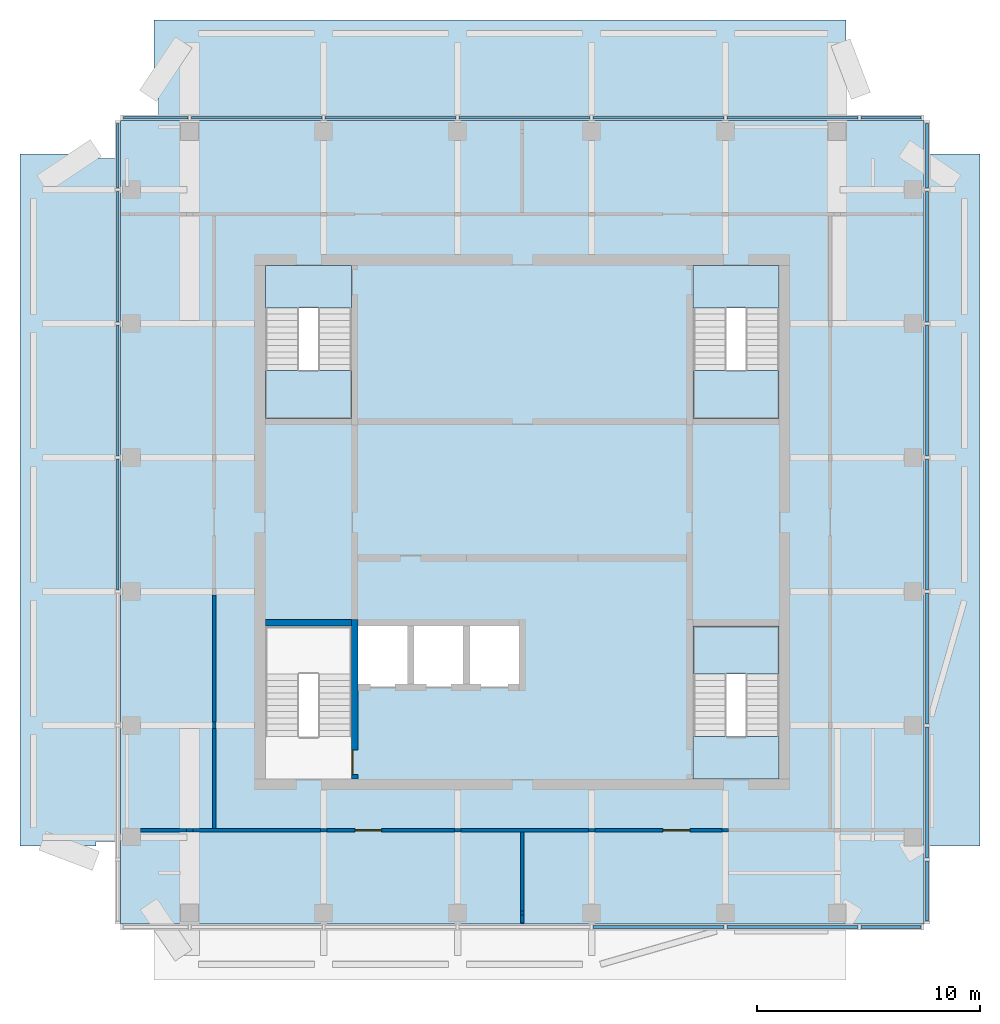
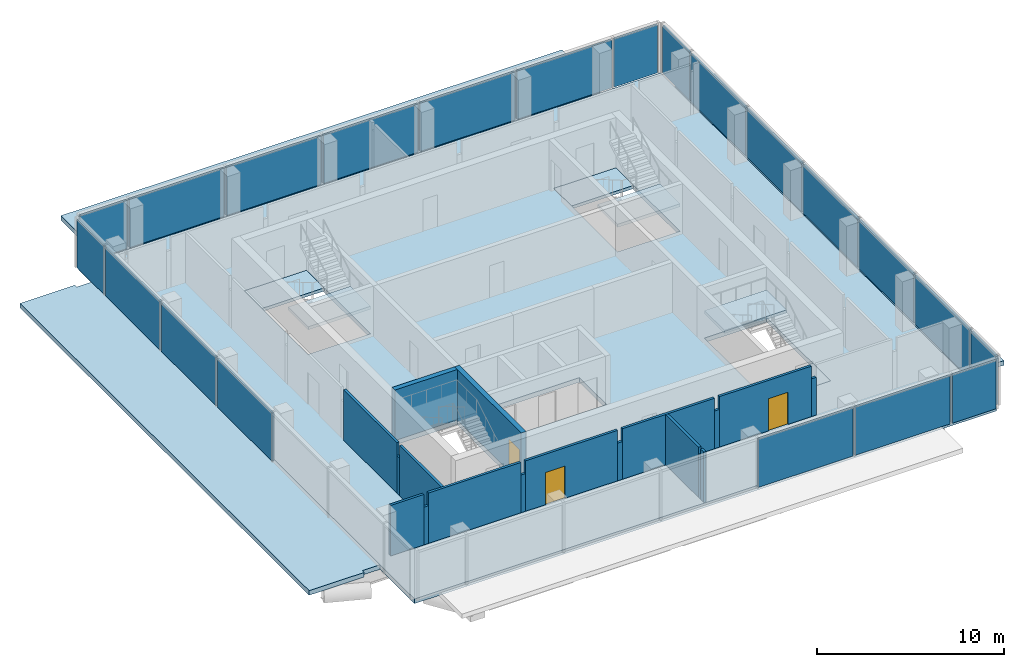
# One storey, part 3 of 6: 21 plates, 18 walls, 10 slabs, 3 doors, 3 openings, 7 elements without a shape of their own.
"""IFC4 building model written with IfcOpenShell, lengths in metres."""

from ifc_helpers import new_model, si_unit, direction, frame, frame_2d, origin, origin_2d, place, context, subcontext, project, spatial, polyline, rectangle, outline, extrude, material, layer, layer_set, type_object, element, fill, aggregate, save


model = new_model("IFC4")

# Units and contexts
model_context = context("Model", 3, precision=1e-05, world=origin(), true_north=direction((0.0, 1.0)))
body_context = subcontext(model_context, "Body", "Model", "MODEL_VIEW")
ifc_project = project(units=[si_unit("LENGTHUNIT", "METRE"), si_unit("AREAUNIT", "SQUARE_METRE"), si_unit("VOLUMEUNIT", "CUBIC_METRE"), si_unit("PLANEANGLEUNIT", "RADIAN"), si_unit("MASSUNIT", "GRAM", prefix="KILO")], contexts=[model_context])

# Site, building, storey
site_placement = place(None, origin())
site = spatial("IfcSite", under=ifc_project, at=site_placement, CompositionType="ELEMENT")
building_placement = place(site_placement, origin())
building = spatial("IfcBuilding", under=site, at=building_placement, Name="Amberfall Residences", CompositionType="ELEMENT")
storey_placement = place(building_placement, frame((0.0, 0.0, 290.800048828125)))
storey = spatial("IfcBuildingStorey", under=building, at=storey_placement, Name="L78 Crown", CompositionType="ELEMENT", Elevation=290.800048828125)

# Curtain wall, plates
ifc_material_1 = material(Name="Bronze anodised aluminium and glass", Category="aluminium")
curtain_wall_type = type_object("IfcCurtainWallType", Name="Curtain wall CW6 crown louvre", PredefinedType="USERDEFINED", material=ifc_material_1)
curtain_wall_1_placement = place(storey_placement, origin())
curtain_wall_1 = element("IfcCurtainWall", 1, at=curtain_wall_1_placement, inside=storey, type_object=curtain_wall_type, Name="Curtain wall L78 Crown S S1", ObjectType="UNITISED CURTAIN WALL", PredefinedType="USERDEFINED")
ifc_material_2 = material(Name="Bronze aluminium louvre", Category="aluminium")
ifc_layer_1 = layer(ifc_material_2, 0.1201171875)
ifc_layer_set_1 = layer_set([ifc_layer_1], Name="CW6 panel 120 louvre")
plate_type = type_object("IfcPlateType", Name="CW6 panel 120 louvre", PredefinedType="CURTAIN_PANEL", material=ifc_layer_set_1)
plate_1_placement = place(storey_placement, frame((80.60009765625, 27.375, 0.0), z_axis=(0.0, 0.0, 1.0), x_axis=(1.0, 0.0, 0.0)))
plate_1 = element("IfcPlate", 2, at=plate_1_placement, type_object=plate_type, Name="CW6 panel 5.1", PredefinedType="CURTAIN_PANEL", context=body_context, shape_type="SweptSolid", body=[
    extrude(rectangle(XDim=5.85595703125, YDim=0.1201171875, at=origin_2d()), origin(), (0.0, 0.0, 1.0), 3.14990234375),
])
plate_2_placement = place(storey_placement, frame((86.60009765625, 27.375, 0.0), z_axis=(0.0, 0.0, 1.0), x_axis=(1.0, 0.0, 0.0)))
plate_2 = element("IfcPlate", 3, at=plate_2_placement, type_object=plate_type, Name="CW6 panel 6.1", PredefinedType="CURTAIN_PANEL", context=body_context, shape_type="SweptSolid", body=[
    extrude(rectangle(XDim=5.85595703125, YDim=0.1201171875, at=origin_2d()), origin(), (0.0, 0.0, 1.0), 3.14990234375),
])
plate_3_placement = place(storey_placement, frame((91.02001953125, 27.375, 0.0), z_axis=(0.0, 0.0, 1.0), x_axis=(1.0, 0.0, 0.0)))
plate_3 = element("IfcPlate", 4, at=plate_3_placement, type_object=plate_type, Name="CW6 panel 7.1", PredefinedType="CURTAIN_PANEL", context=body_context, shape_type="SweptSolid", body=[
    extrude(rectangle(XDim=2.696044921875, YDim=0.1201171875, at=origin_2d()), origin(), (0.0, 0.0, 1.0), 3.14990234375),
])
aggregate(curtain_wall_1, [plate_1, plate_2, plate_3])

curtain_wall_2_placement = place(storey_placement, origin())
curtain_wall_2 = element("IfcCurtainWall", 5, at=curtain_wall_2_placement, inside=storey, type_object=curtain_wall_type, Name="Curtain wall L78 Crown E E1", ObjectType="UNITISED CURTAIN WALL", PredefinedType="USERDEFINED")
plate_4_placement = place(storey_placement, frame((92.625, 28.97998046875, 0.0), z_axis=(0.0, 0.0, 1.0), x_axis=(0.0, 1.0, 0.0)))
plate_4 = element("IfcPlate", 6, at=plate_4_placement, type_object=plate_type, Name="CW6 panel 1.1", PredefinedType="CURTAIN_PANEL", context=body_context, shape_type="SweptSolid", body=[
    extrude(rectangle(XDim=2.696044921875, YDim=0.1201171875, at=origin_2d()), origin(), (0.0, 0.0, 1.0), 3.14990234375),
])
plate_5_placement = place(storey_placement, frame((92.625, 33.39990234375, 0.0), z_axis=(0.0, 0.0, 1.0), x_axis=(0.0, 1.0, 0.0)))
plate_5 = element("IfcPlate", 7, at=plate_5_placement, type_object=plate_type, Name="CW6 panel 2.1", PredefinedType="CURTAIN_PANEL", context=body_context, shape_type="SweptSolid", body=[
    extrude(rectangle(XDim=5.85595703125, YDim=0.1201171875, at=origin_2d()), origin(), (0.0, 0.0, 1.0), 3.14990234375),
])
plate_6_placement = place(storey_placement, frame((92.625, 39.39990234375, 0.0), z_axis=(0.0, 0.0, 1.0), x_axis=(0.0, 1.0, 0.0)))
plate_6 = element("IfcPlate", 8, at=plate_6_placement, type_object=plate_type, Name="CW6 panel 3.1", PredefinedType="CURTAIN_PANEL", context=body_context, shape_type="SweptSolid", body=[
    extrude(rectangle(XDim=5.85595703125, YDim=0.1201171875, at=origin_2d()), origin(), (0.0, 0.0, 1.0), 3.14990234375),
])
plate_7_placement = place(storey_placement, frame((92.625, 45.39990234375, 0.0), z_axis=(0.0, 0.0, 1.0), x_axis=(0.0, 1.0, 0.0)))
plate_7 = element("IfcPlate", 9, at=plate_7_placement, type_object=plate_type, Name="CW6 panel 4.1", PredefinedType="CURTAIN_PANEL", context=body_context, shape_type="SweptSolid", body=[
    extrude(rectangle(XDim=5.85595703125, YDim=0.1201171875, at=origin_2d()), origin(), (0.0, 0.0, 1.0), 3.14990234375),
])
plate_8_placement = place(storey_placement, frame((92.625, 51.39990234375, 0.0), z_axis=(0.0, 0.0, 1.0), x_axis=(0.0, 1.0, 0.0)))
plate_8 = element("IfcPlate", 10, at=plate_8_placement, type_object=plate_type, Name="CW6 panel 5.1", PredefinedType="CURTAIN_PANEL", context=body_context, shape_type="SweptSolid", body=[
    extrude(rectangle(XDim=5.85595703125, YDim=0.1201171875, at=origin_2d()), origin(), (0.0, 0.0, 1.0), 3.14990234375),
])
plate_9_placement = place(storey_placement, frame((92.625, 57.39990234375, 0.0), z_axis=(0.0, 0.0, 1.0), x_axis=(0.0, 1.0, 0.0)))
plate_9 = element("IfcPlate", 11, at=plate_9_placement, type_object=plate_type, Name="CW6 panel 6.1", PredefinedType="CURTAIN_PANEL", context=body_context, shape_type="SweptSolid", body=[
    extrude(rectangle(XDim=5.85595703125, YDim=0.1201171875, at=origin_2d()), origin(), (0.0, 0.0, 1.0), 3.14990234375),
])
plate_10_placement = place(storey_placement, frame((92.625, 61.919921875, 0.0), z_axis=(0.0, 0.0, 1.0), x_axis=(0.0, 1.0, 0.0)))
plate_10 = element("IfcPlate", 12, at=plate_10_placement, type_object=plate_type, Name="CW6 panel 7.1", PredefinedType="CURTAIN_PANEL", context=body_context, shape_type="SweptSolid", body=[
    extrude(rectangle(XDim=2.89599609375, YDim=0.1201171875, at=origin_2d()), origin(), (0.0, 0.0, 1.0), 3.14990234375),
])
aggregate(curtain_wall_2, [plate_4, plate_5, plate_6, plate_7, plate_8, plate_9, plate_10])

curtain_wall_3_placement = place(storey_placement, origin())
curtain_wall_3 = element("IfcCurtainWall", 13, at=curtain_wall_3_placement, inside=storey, type_object=curtain_wall_type, Name="Curtain wall L78 Crown N N1", ObjectType="UNITISED CURTAIN WALL", PredefinedType="USERDEFINED")
plate_11_placement = place(storey_placement, frame((91.02001953125, 63.625, 0.0), z_axis=(0.0, 0.0, 1.0), x_axis=(-1.0, 0.0, 0.0)))
plate_11 = element("IfcPlate", 14, at=plate_11_placement, type_object=plate_type, Name="CW6 panel 1.1", PredefinedType="CURTAIN_PANEL", context=body_context, shape_type="SweptSolid", body=[
    extrude(rectangle(XDim=2.696044921875, YDim=0.1201171875, at=origin_2d()), origin(), (0.0, 0.0, 1.0), 3.14990234375),
])
plate_12_placement = place(storey_placement, frame((86.60009765625, 63.625, 0.0), z_axis=(0.0, 0.0, 1.0), x_axis=(-1.0, 0.0, 0.0)))
plate_12 = element("IfcPlate", 15, at=plate_12_placement, type_object=plate_type, Name="CW6 panel 2.1", PredefinedType="CURTAIN_PANEL", context=body_context, shape_type="SweptSolid", body=[
    extrude(rectangle(XDim=5.85595703125, YDim=0.1201171875, at=origin_2d()), origin(), (0.0, 0.0, 1.0), 3.14990234375),
])
plate_13_placement = place(storey_placement, frame((80.60009765625, 63.625, 0.0), z_axis=(0.0, 0.0, 1.0), x_axis=(-1.0, 0.0, 0.0)))
plate_13 = element("IfcPlate", 16, at=plate_13_placement, type_object=plate_type, Name="CW6 panel 3.1", PredefinedType="CURTAIN_PANEL", context=body_context, shape_type="SweptSolid", body=[
    extrude(rectangle(XDim=5.85595703125, YDim=0.1201171875, at=origin_2d()), origin(), (0.0, 0.0, 1.0), 3.14990234375),
])
plate_14_placement = place(storey_placement, frame((74.60009765625, 63.625, 0.0), z_axis=(0.0, 0.0, 1.0), x_axis=(-1.0, 0.0, 0.0)))
plate_14 = element("IfcPlate", 17, at=plate_14_placement, type_object=plate_type, Name="CW6 panel 4.1", PredefinedType="CURTAIN_PANEL", context=body_context, shape_type="SweptSolid", body=[
    extrude(rectangle(XDim=5.85595703125, YDim=0.1201171875, at=origin_2d()), origin(), (0.0, 0.0, 1.0), 3.14990234375),
])
plate_15_placement = place(storey_placement, frame((68.60009765625, 63.625, 0.0), z_axis=(0.0, 0.0, 1.0), x_axis=(-1.0, 0.0, 0.0)))
plate_15 = element("IfcPlate", 18, at=plate_15_placement, type_object=plate_type, Name="CW6 panel 5.1", PredefinedType="CURTAIN_PANEL", context=body_context, shape_type="SweptSolid", body=[
    extrude(rectangle(XDim=5.85595703125, YDim=0.1201171875, at=origin_2d()), origin(), (0.0, 0.0, 1.0), 3.14990234375),
])
plate_16_placement = place(storey_placement, frame((62.60009765625, 63.625, 0.0), z_axis=(0.0, 0.0, 1.0), x_axis=(-1.0, 0.0, 0.0)))
plate_16 = element("IfcPlate", 19, at=plate_16_placement, type_object=plate_type, Name="CW6 panel 6.1", PredefinedType="CURTAIN_PANEL", context=body_context, shape_type="SweptSolid", body=[
    extrude(rectangle(XDim=5.85595703125, YDim=0.1201171875, at=origin_2d()), origin(), (0.0, 0.0, 1.0), 3.14990234375),
])
plate_17_placement = place(storey_placement, frame((58.080078125, 63.625, 0.0), z_axis=(0.0, 0.0, 1.0), x_axis=(-1.0, 0.0, 0.0)))
plate_17 = element("IfcPlate", 20, at=plate_17_placement, type_object=plate_type, Name="CW6 panel 7.1", PredefinedType="CURTAIN_PANEL", context=body_context, shape_type="SweptSolid", body=[
    extrude(rectangle(XDim=2.89599609375, YDim=0.1201171875, at=origin_2d()), origin(), (0.0, 0.0, 1.0), 3.14990234375),
])
aggregate(curtain_wall_3, [plate_11, plate_12, plate_13, plate_14, plate_15, plate_16, plate_17])

curtain_wall_4_placement = place(storey_placement, origin())
curtain_wall_4 = element("IfcCurtainWall", 21, at=curtain_wall_4_placement, inside=storey, type_object=curtain_wall_type, Name="Curtain wall L78 Crown W W1", ObjectType="UNITISED CURTAIN WALL", PredefinedType="USERDEFINED")
plate_18_placement = place(storey_placement, frame((56.375, 61.919921875, 0.0), z_axis=(0.0, 0.0, 1.0), x_axis=(0.0, -1.0, 0.0)))
plate_18 = element("IfcPlate", 22, at=plate_18_placement, type_object=plate_type, Name="CW6 panel 1.1", PredefinedType="CURTAIN_PANEL", context=body_context, shape_type="SweptSolid", body=[
    extrude(rectangle(XDim=2.89599609375, YDim=0.1201171875, at=origin_2d()), origin(), (0.0, 0.0, 1.0), 3.14990234375),
])
plate_19_placement = place(storey_placement, frame((56.375, 57.39990234375, 0.0), z_axis=(0.0, 0.0, 1.0), x_axis=(0.0, -1.0, 0.0)))
plate_19 = element("IfcPlate", 23, at=plate_19_placement, type_object=plate_type, Name="CW6 panel 2.1", PredefinedType="CURTAIN_PANEL", context=body_context, shape_type="SweptSolid", body=[
    extrude(rectangle(XDim=5.85595703125, YDim=0.1201171875, at=origin_2d()), origin(), (0.0, 0.0, 1.0), 3.14990234375),
])
plate_20_placement = place(storey_placement, frame((56.375, 51.39990234375, 0.0), z_axis=(0.0, 0.0, 1.0), x_axis=(0.0, -1.0, 0.0)))
plate_20 = element("IfcPlate", 24, at=plate_20_placement, type_object=plate_type, Name="CW6 panel 3.1", PredefinedType="CURTAIN_PANEL", context=body_context, shape_type="SweptSolid", body=[
    extrude(rectangle(XDim=5.85595703125, YDim=0.1201171875, at=origin_2d()), origin(), (0.0, 0.0, 1.0), 3.14990234375),
])
plate_21_placement = place(storey_placement, frame((56.375, 45.39990234375, 0.0), z_axis=(0.0, 0.0, 1.0), x_axis=(0.0, -1.0, 0.0)))
plate_21 = element("IfcPlate", 25, at=plate_21_placement, type_object=plate_type, Name="CW6 panel 4.1", PredefinedType="CURTAIN_PANEL", context=body_context, shape_type="SweptSolid", body=[
    extrude(rectangle(XDim=5.85595703125, YDim=0.1201171875, at=origin_2d()), origin(), (0.0, 0.0, 1.0), 3.14990234375),
])
aggregate(curtain_wall_4, [plate_18, plate_19, plate_20, plate_21])

# Slabs
ifc_material_3 = material(Name="Concrete C50", Category="concrete")
ifc_layer_2 = layer(ifc_material_3, 0.300048828125)
ifc_layer_set_2 = layer_set([ifc_layer_2], Name="Crown floor slab 300 C50")
slab_type_1 = type_object("IfcSlabType", Name="Crown floor slab 300 C50", PredefinedType="FLOOR", material=ifc_layer_set_2)
slab_1_placement = place(storey_placement, frame((0.0, 0.0, -0.300048828125)))
element("IfcSlab", 26, at=slab_1_placement, inside=storey, type_object=slab_type_1, Name="Floor slab S22 L78 Crown", PredefinedType="FLOOR", context=body_context, shape_type="SweptSolid", body=[
    extrude(outline(polyline([(56.5, 63.5), (92.5, 63.5), (92.5, 27.5), (56.5, 27.5), (56.5, 63.5)]), holes=[polyline([(86.0, 40.85009765625), (82.14990234375, 40.85009765625), (82.14990234375, 34.0), (86.0, 34.0), (86.0, 40.85009765625)]), polyline([(86.0, 57.0), (82.14990234375, 57.0), (82.14990234375, 50.14990234375), (86.0, 50.14990234375), (86.0, 57.0)]), polyline([(69.5, 38.10009765625), (72.0, 38.10009765625), (74.5, 38.10009765625), (74.5, 41.0), (72.0, 41.0), (69.5, 41.0), (67.0, 41.0), (67.0, 38.10009765625), (69.5, 38.10009765625)]), polyline([(63.0, 40.85009765625), (63.0, 34.0), (66.85009765625, 34.0), (66.85009765625, 40.85009765625), (63.0, 40.85009765625)]), polyline([(66.85009765625, 57.0), (63.0, 57.0), (63.0, 50.14990234375), (66.85009765625, 50.14990234375), (66.85009765625, 57.0)])]), origin(), (0.0, 0.0, 1.0), 0.300048828125),
])
ifc_layer_3 = layer(ifc_material_3, 0.300048828125)
ifc_layer_set_3 = layer_set([ifc_layer_3], Name="Roof slab 300 C50")
slab_type_2 = type_object("IfcSlabType", Name="Roof slab 300 C50", PredefinedType="ROOF", material=ifc_layer_set_3)
slab_2_placement = place(storey_placement, frame((0.0, 0.0, -0.300048828125)))
element("IfcSlab", 27, at=slab_2_placement, inside=storey, type_object=slab_type_2, Name="Roof slab S23 L78 Crown 2", PredefinedType="ROOF", context=body_context, shape_type="SweptSolid", body=[
    extrude(outline(polyline([(52.0, 62.0), (55.39990234375, 62.0), (55.39990234375, 61.800048828125), (56.5, 61.800048828125), (56.5, 31.199951171875), (55.39990234375, 31.199951171875), (55.39990234375, 31.0), (52.0, 31.0), (52.0, 62.0)])), origin(), (0.0, 0.0, 1.0), 0.300048828125),
])
slab_3_placement = place(storey_placement, frame((0.0, 0.0, -0.300048828125)))
element("IfcSlab", 28, at=slab_3_placement, inside=storey, type_object=slab_type_2, Name="Roof slab S23 L78 Crown 3", PredefinedType="ROOF", context=body_context, shape_type="SweptSolid", body=[
    extrude(outline(polyline([(92.5, 62.0), (95.0, 62.0), (95.0, 31.0), (92.5, 31.0), (92.5, 62.0)])), origin(), (0.0, 0.0, 1.0), 0.300048828125),
])
slab_4_placement = place(storey_placement, frame((0.0, 0.0, -0.300048828125)))
element("IfcSlab", 29, at=slab_4_placement, inside=storey, type_object=slab_type_2, Name="Roof slab S23 L78 Crown 4", PredefinedType="ROOF", context=body_context, shape_type="SweptSolid", body=[
    extrude(outline(polyline([(89.0, 68.0), (89.0, 64.60009765625), (88.800048828125, 64.60009765625), (88.800048828125, 63.5), (58.199951171875, 63.5), (58.199951171875, 64.60009765625), (58.0, 64.60009765625), (58.0, 68.0), (89.0, 68.0)])), origin(), (0.0, 0.0, 1.0), 0.300048828125),
])

# Stair, slabs
ifc_material_4 = material(Name="Concrete C40", Category="concrete")
stair_type = type_object("IfcStairType", Name="Exit stair 22 risers 163.6 mm", PredefinedType="HALF_TURN_STAIR", material=ifc_material_4)
stair_1_placement = place(storey_placement, origin())
stair_1 = element("IfcStair", 30, at=stair_1_placement, inside=storey, type_object=stair_type, Name="L78 Crown Exit stair 2", PredefinedType="HALF_TURN_STAIR")
ifc_layer_4 = layer(ifc_material_4, 0.199951171875)
ifc_layer_set_4 = layer_set([ifc_layer_4], Name="Stair landing 200")
slab_type_3 = type_object("IfcSlabType", Name="Stair landing 200", PredefinedType="LANDING", material=ifc_layer_set_4)
slab_5_placement = place(storey_placement, frame((0.0, 0.0, 1.599853515625)))
slab_5 = element("IfcSlab", 31, at=slab_5_placement, type_object=slab_type_3, Name="ST5 landing 1", PredefinedType="LANDING", context=body_context, shape_type="SweptSolid", body=[
    extrude(outline(polyline([(86.0, 38.699951171875), (86.0, 40.85009765625), (82.14990234375, 40.85009765625), (82.14990234375, 38.699951171875), (86.0, 38.699951171875)])), origin(), (0.0, 0.0, 1.0), 0.2001953125),
])
slab_6_placement = place(storey_placement, frame((0.0, 0.0, -0.199951171875)))
slab_6 = element("IfcSlab", 32, at=slab_6_placement, type_object=slab_type_3, Name="ST5 landing 2", PredefinedType="LANDING", context=body_context, shape_type="SweptSolid", body=[
    extrude(outline(polyline([(86.0, 34.0), (86.0, 35.89990234375), (82.14990234375, 35.89990234375), (82.14990234375, 34.0), (86.0, 34.0)])), origin(), (0.0, 0.0, 1.0), 0.199951171875),
])
aggregate(stair_1, [slab_5, slab_6])

stair_2_placement = place(storey_placement, origin())
stair_2 = element("IfcStair", 33, at=stair_2_placement, inside=storey, type_object=stair_type, Name="L78 Crown Exit stair 3", PredefinedType="HALF_TURN_STAIR")
slab_7_placement = place(storey_placement, frame((0.0, 0.0, 1.599853515625)))
slab_7 = element("IfcSlab", 34, at=slab_7_placement, type_object=slab_type_3, Name="ST5 landing 1", PredefinedType="LANDING", context=body_context, shape_type="SweptSolid", body=[
    extrude(outline(polyline([(82.14990234375, 52.300048828125), (82.14990234375, 50.14990234375), (86.0, 50.14990234375), (86.0, 52.300048828125), (82.14990234375, 52.300048828125)])), origin(), (0.0, 0.0, 1.0), 0.2001953125),
])
slab_8_placement = place(storey_placement, frame((0.0, 0.0, -0.199951171875)))
slab_8 = element("IfcSlab", 35, at=slab_8_placement, type_object=slab_type_3, Name="ST5 landing 2", PredefinedType="LANDING", context=body_context, shape_type="SweptSolid", body=[
    extrude(outline(polyline([(82.14990234375, 57.0), (82.14990234375, 55.10009765625), (86.0, 55.10009765625), (86.0, 57.0), (82.14990234375, 57.0)])), origin(), (0.0, 0.0, 1.0), 0.199951171875),
])
aggregate(stair_2, [slab_7, slab_8])

stair_3_placement = place(storey_placement, origin())
stair_3 = element("IfcStair", 36, at=stair_3_placement, inside=storey, type_object=stair_type, Name="L78 Crown Exit stair 4", PredefinedType="HALF_TURN_STAIR")
slab_9_placement = place(storey_placement, frame((0.0, 0.0, 1.599853515625)))
slab_9 = element("IfcSlab", 37, at=slab_9_placement, type_object=slab_type_3, Name="ST5 landing 1", PredefinedType="LANDING", context=body_context, shape_type="SweptSolid", body=[
    extrude(outline(polyline([(63.0, 52.300048828125), (63.0, 50.14990234375), (66.85009765625, 50.14990234375), (66.85009765625, 52.300048828125), (63.0, 52.300048828125)])), origin(), (0.0, 0.0, 1.0), 0.2001953125),
])
slab_10_placement = place(storey_placement, frame((0.0, 0.0, -0.199951171875)))
slab_10 = element("IfcSlab", 38, at=slab_10_placement, type_object=slab_type_3, Name="ST5 landing 2", PredefinedType="LANDING", context=body_context, shape_type="SweptSolid", body=[
    extrude(outline(polyline([(63.0, 57.0), (63.0, 55.10009765625), (66.85009765625, 55.10009765625), (66.85009765625, 57.0), (63.0, 57.0)])), origin(), (0.0, 0.0, 1.0), 0.199951171875),
])
aggregate(stair_3, [slab_9, slab_10])

# Walls
ifc_material_5 = material(Name="Fire-rated gypsum board on steel studs", Category="steel")
ifc_layer_5 = layer(ifc_material_5, 0.14990234375)
ifc_layer_set_5 = layer_set([ifc_layer_5], Name="Partition 150 fire-rated")
wall_type_1 = type_object("IfcWallType", Name="Partition 150 fire-rated", PredefinedType="PARTITIONING", material=ifc_layer_set_5)
wall_1_placement = place(storey_placement, frame((57.39990234375, 31.699951171875, 0.0), z_axis=(0.0, 0.0, 1.0), x_axis=(1.0, 0.0, 0.0)))
element("IfcWall", 39, at=wall_1_placement, inside=storey, type_object=wall_type_1, Name="Partition 150 fire-rated L78 Crown 001", PredefinedType="PARTITIONING", context=body_context, shape_type="SweptSolid", body=[
    extrude(rectangle(XDim=2.05419921875, YDim=0.14990234375, at=frame_2d((1.027099609375, 0.0))), origin(), (0.0, 0.0, 1.0), 3.300048828125),
])
wall_2_placement = place(storey_placement, frame((59.4541015625, 31.699951171875, 0.0), z_axis=(0.0, 0.0, 1.0), x_axis=(1.0, 0.0, 0.0)))
element("IfcWall", 40, at=wall_2_placement, inside=storey, type_object=wall_type_1, Name="Partition 150 fire-rated L78 Crown 002", PredefinedType="PARTITIONING", context=body_context, shape_type="SweptSolid", body=[
    extrude(rectangle(XDim=0.291748046875, YDim=0.14990234375, at=frame_2d((0.14599609375, 0.0))), origin(), (0.0, 0.0, 1.0), 2.4619140625),
])
wall_3_placement = place(storey_placement, frame((59.745849609375, 31.699951171875, 0.0), z_axis=(0.0, 0.0, 1.0), x_axis=(1.0, 0.0, 0.0)))
element("IfcWall", 41, at=wall_3_placement, inside=storey, type_object=wall_type_1, Name="Partition 150 fire-rated L78 Crown 003", PredefinedType="PARTITIONING", context=body_context, shape_type="SweptSolid", body=[
    extrude(rectangle(XDim=5.708251953125, YDim=0.14990234375, at=frame_2d((2.85400390625, 0.0))), origin(), (0.0, 0.0, 1.0), 3.300048828125),
])
wall_4_placement = place(storey_placement, frame((65.4541015625, 31.699951171875, 0.0), z_axis=(0.0, 0.0, 1.0), x_axis=(1.0, 0.0, 0.0)))
element("IfcWall", 42, at=wall_4_placement, inside=storey, type_object=wall_type_1, Name="Partition 150 fire-rated L78 Crown 004", PredefinedType="PARTITIONING", context=body_context, shape_type="SweptSolid", body=[
    extrude(rectangle(XDim=0.291748046875, YDim=0.14990234375, at=frame_2d((0.14599609375, 0.0))), origin(), (0.0, 0.0, 1.0), 2.46484375),
])

# Wall, opening, door
wall_5_placement = place(storey_placement, frame((65.745849609375, 31.699951171875, 0.0), z_axis=(0.0, 0.0, 1.0), x_axis=(1.0, 0.0, 0.0)))
wall_5 = element("IfcWall", 43, at=wall_5_placement, inside=storey, type_object=wall_type_1, Name="Partition 150 fire-rated L78 Crown 005", PredefinedType="PARTITIONING", context=body_context, shape_type="SweptSolid", body=[
    extrude(rectangle(XDim=5.708251953125, YDim=0.14990234375, at=frame_2d((2.85400390625, 0.0))), origin(), (0.0, 0.0, 1.0), 3.300048828125),
])
opening_1_placement = place(wall_5_placement, frame((1.254150390625, 0.0, 0.0)))
opening_1 = element("IfcOpeningElement", 44, at=opening_1_placement, cuts=wall_5, Name="Opening D7", PredefinedType="OPENING", context=body_context, shape_type="SweptSolid", body=[
    extrude(rectangle(XDim=1.199951171875, YDim=2.10009765625, at=frame_2d((0.60009765625, 1.050048828125))), frame((0.0, 0.0849609375, 0.0), z_axis=(0.0, -1.0, 0.0), x_axis=(1.0, 0.0, 0.0)), (0.0, 0.0, 1.0), 0.169921875),
])
ifc_material_6 = material(Name="Steel fire door leaf", Category="steel")
door_type_1 = type_object("IfcDoorType", Name="Plant room door 1200x2100", OperationType="SINGLE_SWING_LEFT", PredefinedType="DOOR", material=ifc_material_6)
door_1_placement = place(opening_1_placement, origin())
door_1 = element("IfcDoor", 45, at=door_1_placement, inside=storey, type_object=door_type_1, Name="Door Spire base plant room", OperationType="SINGLE_SWING_LEFT", OverallHeight=2.10009765625, OverallWidth=1.199951171875, PredefinedType="DOOR", context=body_context, shape_type="SweptSolid", body=[
    extrude(rectangle(XDim=1.199951171875, YDim=2.10009765625, at=frame_2d((0.60009765625, 1.050048828125))), frame((0.0, 0.02490234375, 0.0), z_axis=(0.0, -1.0, 0.0), x_axis=(1.0, 0.0, 0.0)), (0.0, 0.0, 1.0), 0.050048828125),
])
fill(opening_1, door_1)

# Walls
wall_6_placement = place(storey_placement, frame((71.4541015625, 31.699951171875, 0.0), z_axis=(0.0, 0.0, 1.0), x_axis=(1.0, 0.0, 0.0)))
element("IfcWall", 46, at=wall_6_placement, inside=storey, type_object=wall_type_1, Name="Partition 150 fire-rated L78 Crown 006", PredefinedType="PARTITIONING", context=body_context, shape_type="SweptSolid", body=[
    extrude(rectangle(XDim=0.291748046875, YDim=0.14990234375, at=frame_2d((0.14599609375, 0.0))), origin(), (0.0, 0.0, 1.0), 2.46484375),
])
wall_7_placement = place(storey_placement, frame((71.745849609375, 31.699951171875, 0.0), z_axis=(0.0, 0.0, 1.0), x_axis=(1.0, 0.0, 0.0)))
element("IfcWall", 47, at=wall_7_placement, inside=storey, type_object=wall_type_1, Name="Partition 150 fire-rated L78 Crown 007", PredefinedType="PARTITIONING", context=body_context, shape_type="SweptSolid", body=[
    extrude(rectangle(XDim=5.708251953125, YDim=0.14990234375, at=frame_2d((2.85400390625, 0.0))), origin(), (0.0, 0.0, 1.0), 3.300048828125),
])
wall_8_placement = place(storey_placement, frame((77.4541015625, 31.699951171875, 0.0), z_axis=(0.0, 0.0, 1.0), x_axis=(1.0, 0.0, 0.0)))
element("IfcWall", 48, at=wall_8_placement, inside=storey, type_object=wall_type_1, Name="Partition 150 fire-rated L78 Crown 008", PredefinedType="PARTITIONING", context=body_context, shape_type="SweptSolid", body=[
    extrude(rectangle(XDim=0.291748046875, YDim=0.14990234375, at=frame_2d((0.14599609375, 0.0))), origin(), (0.0, 0.0, 1.0), 2.46484375),
])

# Wall, opening, door
wall_9_placement = place(storey_placement, frame((77.745849609375, 31.699951171875, 0.0), z_axis=(0.0, 0.0, 1.0), x_axis=(1.0, 0.0, 0.0)))
wall_9 = element("IfcWall", 49, at=wall_9_placement, inside=storey, type_object=wall_type_1, Name="Partition 150 fire-rated L78 Crown 009", PredefinedType="PARTITIONING", context=body_context, shape_type="SweptSolid", body=[
    extrude(rectangle(XDim=5.708251953125, YDim=0.14990234375, at=frame_2d((2.85400390625, 0.0))), origin(), (0.0, 0.0, 1.0), 3.300048828125),
])
opening_2_placement = place(wall_9_placement, frame((3.05419921875, 0.0, 0.0)))
opening_2 = element("IfcOpeningElement", 50, at=opening_2_placement, cuts=wall_9, Name="Opening D7", PredefinedType="OPENING", context=body_context, shape_type="SweptSolid", body=[
    extrude(rectangle(XDim=1.199951171875, YDim=2.10009765625, at=frame_2d((0.60009765625, 1.050048828125))), frame((0.0, 0.0849609375, 0.0), z_axis=(0.0, -1.0, 0.0), x_axis=(1.0, 0.0, 0.0)), (0.0, 0.0, 1.0), 0.169921875),
])
door_2_placement = place(opening_2_placement, origin())
door_2 = element("IfcDoor", 51, at=door_2_placement, inside=storey, type_object=door_type_1, Name="Door Cable plant room", OperationType="SINGLE_SWING_LEFT", OverallHeight=2.10009765625, OverallWidth=1.199951171875, PredefinedType="DOOR", context=body_context, shape_type="SweptSolid", body=[
    extrude(rectangle(XDim=1.199951171875, YDim=2.10009765625, at=frame_2d((0.60009765625, 1.050048828125))), frame((0.0, 0.02490234375, 0.0), z_axis=(0.0, -1.0, 0.0), x_axis=(1.0, 0.0, 0.0)), (0.0, 0.0, 1.0), 0.050048828125),
])
fill(opening_2, door_2)

# Walls
wall_10_placement = place(storey_placement, frame((83.4541015625, 31.699951171875, 0.0), z_axis=(0.0, 0.0, 1.0), x_axis=(1.0, 0.0, 0.0)))
element("IfcWall", 52, at=wall_10_placement, inside=storey, type_object=wall_type_1, Name="Partition 150 fire-rated L78 Crown 010", PredefinedType="PARTITIONING", context=body_context, shape_type="SweptSolid", body=[
    extrude(rectangle(XDim=0.291748046875, YDim=0.14990234375, at=frame_2d((0.14599609375, 0.0))), origin(), (0.0, 0.0, 1.0), 2.46484375),
])
wall_11_placement = place(storey_placement, frame((60.699951171875, 31.77490234375, 0.0), z_axis=(0.0, 0.0, 1.0), x_axis=(0.0, 1.0, 0.0)))
element("IfcWall", 53, at=wall_11_placement, inside=storey, type_object=wall_type_1, Name="Partition 150 fire-rated L78 Crown 031", PredefinedType="PARTITIONING", context=body_context, shape_type="SweptSolid", body=[
    extrude(rectangle(XDim=4.479248046875, YDim=0.14990234375, at=frame_2d((2.23974609375, 0.0))), origin(), (0.0, 0.0, 1.0), 3.300048828125),
])
wall_12_placement = place(storey_placement, frame((60.699951171875, 36.254150390625, 0.0), z_axis=(0.0, 0.0, 1.0), x_axis=(0.0, 1.0, 0.0)))
element("IfcWall", 54, at=wall_12_placement, inside=storey, type_object=wall_type_1, Name="Partition 150 fire-rated L78 Crown 032", PredefinedType="PARTITIONING", context=body_context, shape_type="SweptSolid", body=[
    extrude(rectangle(XDim=0.291748046875, YDim=0.14990234375, at=frame_2d((0.14599609375, 0.0))), origin(), (0.0, 0.0, 1.0), 2.458984375),
])
wall_13_placement = place(storey_placement, frame((60.699951171875, 36.5458984375, 0.0), z_axis=(0.0, 0.0, 1.0), x_axis=(0.0, 1.0, 0.0)))
element("IfcWall", 55, at=wall_13_placement, inside=storey, type_object=wall_type_1, Name="Partition 150 fire-rated L78 Crown 033", PredefinedType="PARTITIONING", context=body_context, shape_type="SweptSolid", body=[
    extrude(rectangle(XDim=5.708251953125, YDim=0.14990234375, at=frame_2d((2.85400390625, 0.0))), origin(), (0.0, 0.0, 1.0), 3.300048828125),
])
wall_14_placement = place(storey_placement, frame((74.5, 27.550048828125, 0.0), z_axis=(0.0, 0.0, 1.0), x_axis=(0.0, 1.0, 0.0)))
element("IfcWall", 56, at=wall_14_placement, inside=storey, type_object=wall_type_1, Name="Partition 150 fire-rated L78 Crown 040", PredefinedType="PARTITIONING", context=body_context, shape_type="SweptSolid", body=[
    extrude(rectangle(XDim=0.35498046875, YDim=0.14990234375, at=frame_2d((0.177490234375, 0.0))), origin(), (0.0, 0.0, 1.0), 3.300048828125),
])
wall_15_placement = place(storey_placement, frame((74.5, 27.905029296875, 0.0), z_axis=(0.0, 0.0, 1.0), x_axis=(0.0, 1.0, 0.0)))
element("IfcWall", 57, at=wall_15_placement, inside=storey, type_object=wall_type_1, Name="Partition 150 fire-rated L78 Crown 041", PredefinedType="PARTITIONING", context=body_context, shape_type="SweptSolid", body=[
    extrude(rectangle(XDim=0.18994140625, YDim=0.14990234375, at=frame_2d((0.094970703125, 0.0))), origin(), (0.0, 0.0, 1.0), 2.846923828125),
])
wall_16_placement = place(storey_placement, frame((74.5, 28.094970703125, 0.0), z_axis=(0.0, 0.0, 1.0), x_axis=(0.0, 1.0, 0.0)))
element("IfcWall", 58, at=wall_16_placement, inside=storey, type_object=wall_type_1, Name="Partition 150 fire-rated L78 Crown 042", PredefinedType="PARTITIONING", context=body_context, shape_type="SweptSolid", body=[
    extrude(rectangle(XDim=3.530029296875, YDim=0.14990234375, at=frame_2d((1.76513671875, 0.0))), origin(), (0.0, 0.0, 1.0), 3.300048828125),
])

# Wall, opening, door
ifc_layer_6 = layer(ifc_material_3, 0.300048828125)
ifc_layer_set_6 = layer_set([ifc_layer_6], Name="Stair well wall 300 C50")
wall_type_2 = type_object("IfcWallType", Name="Stair well wall 300 C50", PredefinedType="SHEAR", material=ifc_layer_set_6)
wall_17_placement = place(storey_placement, frame((67.0, 34.0, 0.0), z_axis=(0.0, 0.0, 1.0), x_axis=(0.0, 1.0, 0.0)))
wall_17 = element("IfcWall", 59, at=wall_17_placement, inside=storey, type_object=wall_type_2, Name="L78 Crown stair well wall W1S", PredefinedType="SHEAR", context=body_context, shape_type="SweptSolid", body=[
    extrude(rectangle(XDim=7.14990234375, YDim=0.300048828125, at=frame_2d((3.574951171875, 0.0))), origin(), (0.0, 0.0, 1.0), 3.300048828125),
])
opening_3_placement = place(wall_17_placement, frame((0.199951171875, 0.0, 0.0)))
opening_3 = element("IfcOpeningElement", 60, at=opening_3_placement, cuts=wall_17, Name="Opening SD1", PredefinedType="OPENING", context=body_context, shape_type="SweptSolid", body=[
    extrude(rectangle(XDim=1.10009765625, YDim=2.10009765625, at=frame_2d((0.550048828125, 1.050048828125))), frame((0.0, 0.159912109375, 0.0), z_axis=(0.0, -1.0, 0.0), x_axis=(1.0, 0.0, 0.0)), (0.0, 0.0, 1.0), 0.320068359375),
])
ifc_material_7 = material(Name="Steel fire door set", Category="steel")
door_type_2 = type_object("IfcDoorType", Name="Stair door 1100 x 2100", OperationType="SINGLE_SWING_LEFT", PredefinedType="DOOR", material=ifc_material_7)
door_3_placement = place(opening_3_placement, origin())
door_3 = element("IfcDoor", 61, at=door_3_placement, inside=storey, type_object=door_type_2, Name="SD1 L78 Crown", OperationType="SINGLE_SWING_LEFT", OverallHeight=2.10009765625, OverallWidth=1.10009765625, PredefinedType="DOOR", context=body_context, shape_type="SweptSolid", body=[
    extrude(rectangle(XDim=1.10009765625, YDim=2.10009765625, at=frame_2d((0.550048828125, 1.050048828125))), frame((0.0, 0.1376953125, 0.0), z_axis=(0.0, -1.0, 0.0), x_axis=(1.0, 0.0, 0.0)), (0.0, 0.0, 1.0), 0.050048828125),
])
fill(opening_3, door_3)

# Wall
wall_18_placement = place(storey_placement, frame((63.0, 41.0, 0.0), z_axis=(0.0, 0.0, 1.0), x_axis=(1.0, 0.0, 0.0)))
element("IfcWall", 62, at=wall_18_placement, inside=storey, type_object=wall_type_2, Name="L78 Crown stair well wall W3", PredefinedType="SHEAR", context=body_context, shape_type="SweptSolid", body=[
    extrude(rectangle(XDim=3.85009765625, YDim=0.300048828125, at=frame_2d((1.925048828125, 0.0))), origin(), (0.0, 0.0, 1.0), 3.300048828125),
])

save(model, "model.ifc")
